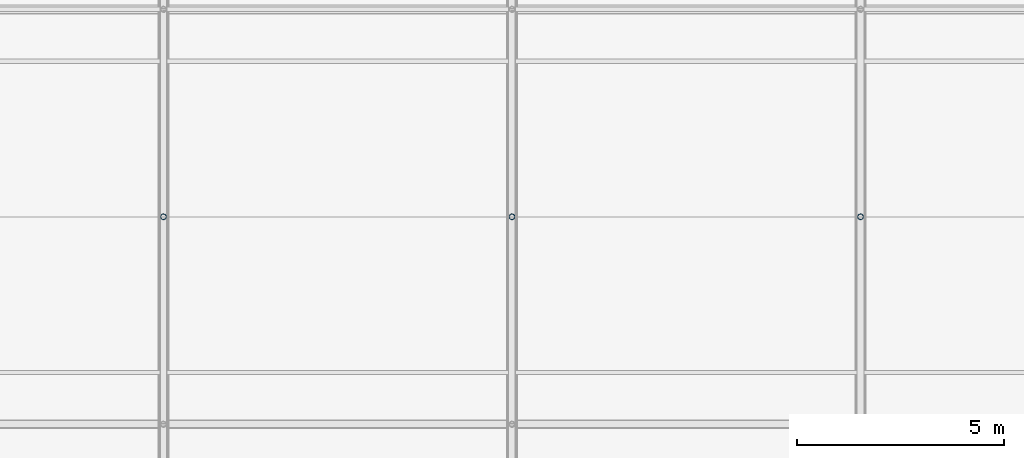
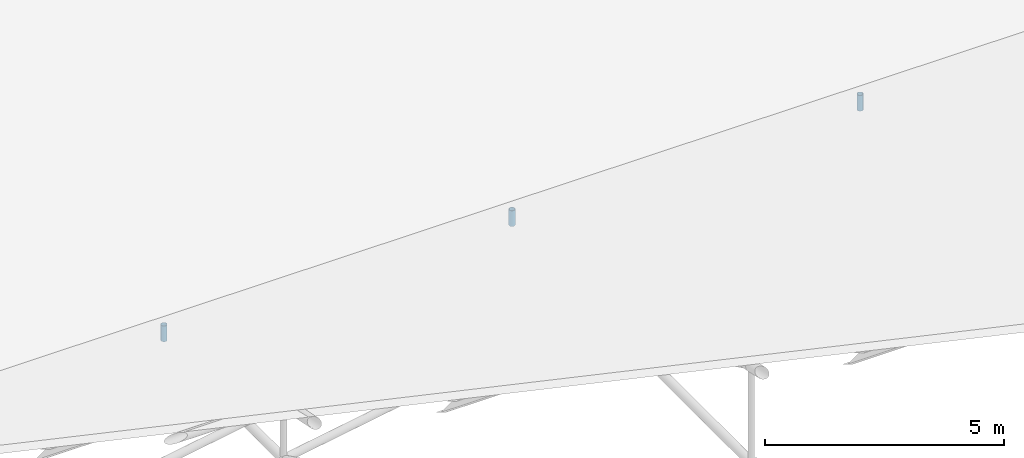
# One storey, part 143 of 194: 3 members.
"""IFC4 building model written with IfcOpenShell, lengths in metres."""

from ifc_helpers import new_model, si_unit, direction, frame, origin, origin_2d, place, context, subcontext, project, spatial, hollow_circle, extrude, material, material_profile, profile_set, type_object, element, save


model = new_model("IFC4")

# Units and contexts
model_context = context("Model", 3, precision=1e-05, world=origin(), true_north=direction((0.0, 1.0)))
body_context = subcontext(model_context, "Body", "Model", "MODEL_VIEW")
ifc_project = project(units=[si_unit("LENGTHUNIT", "METRE"), si_unit("AREAUNIT", "SQUARE_METRE"), si_unit("VOLUMEUNIT", "CUBIC_METRE"), si_unit("PLANEANGLEUNIT", "RADIAN"), si_unit("MASSUNIT", "GRAM", prefix="KILO")], contexts=[model_context])

# Site, building, storey
site_placement = place(None, origin())
site = spatial("IfcSite", under=ifc_project, at=site_placement, CompositionType="ELEMENT")
building_placement = place(site_placement, origin())
building = spatial("IfcBuilding", under=site, at=building_placement, Name="Kazenagashi Tramway Depot", CompositionType="ELEMENT")
storey_placement = place(building_placement, frame((0.0, 0.0, 23.7)))
storey = spatial("IfcBuildingStorey", under=building, at=storey_placement, Name="ROOF", CompositionType="ELEMENT", Elevation=23.7)

# Members
ifc_material = material(Name="Steel STK490", Category="steel")
ifc_material_profile = material_profile(ifc_material, hollow_circle(Radius=0.0699, WallThickness=0.0066, at=origin_2d()), Name="CHS-139.8x6.6")
ifc_profile_set = profile_set([ifc_material_profile], Name="Steel STK490")
member_type = type_object("IfcMemberType", Name="TS-02", PredefinedType="STRUT", material=ifc_profile_set)
for number, where, z_axis, x_axis, name in (
    (1, (128.8, 100.0, -14.1), (0.0, 0.0, 1.0), (1.0, 0.0, 0.0), "Tubular Space Frame TS-02 MEM-0635"),
    (2, (137.2, 100.0, -14.1), (0.0, 0.0, 1.0), (1.0, 0.0, 0.0), "Tubular Space Frame TS-02 MEM-0696"),
    (3, (145.6, 100.0, -14.1), (0.0, 0.0, 1.0), (1.0, 0.0, 0.0), "Tubular Space Frame TS-02 MEM-0757"),
):
    element("IfcMember", number, at=place(storey_placement, frame(where, z_axis=z_axis, x_axis=x_axis)), inside=storey, type_object=member_type, Name=name, PredefinedType="STRUT", context=body_context, shape_type="SweptSolid", body=[
        extrude(hollow_circle(Radius=0.0699, WallThickness=0.0066, at=origin_2d()), origin(), (0.0, 0.0, 1.0), 0.4),
    ])

save(model, "model.ifc")
